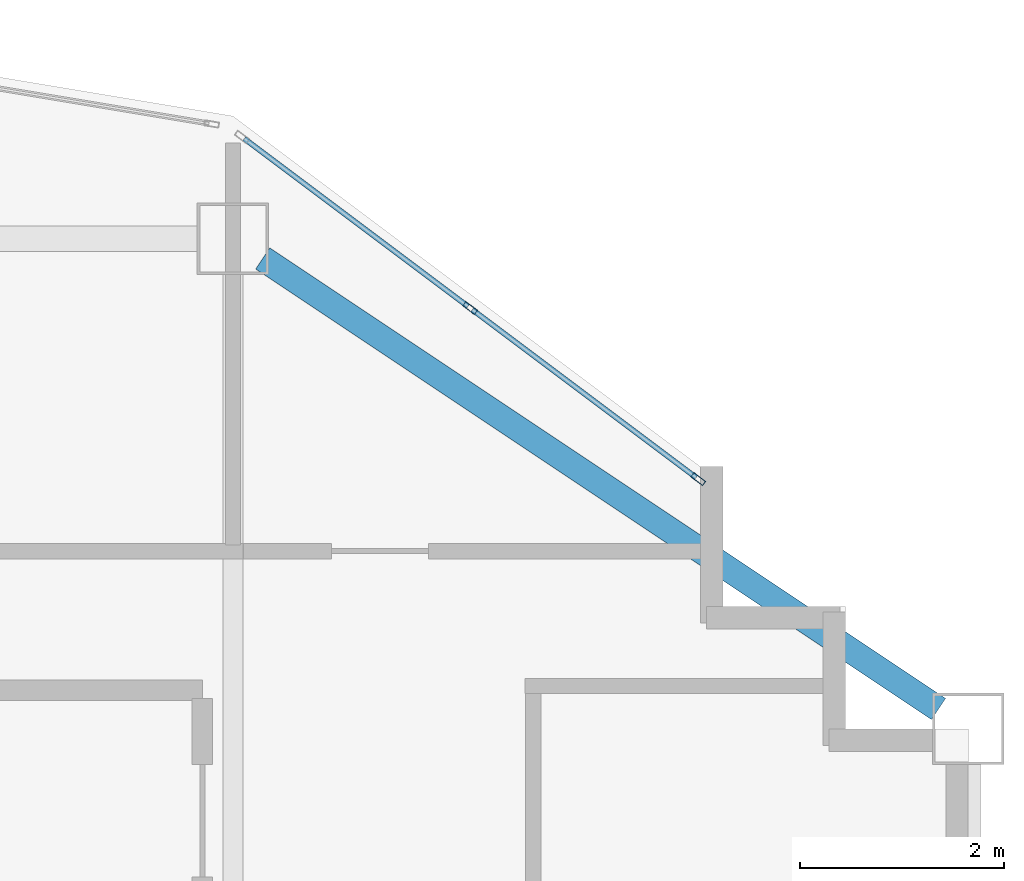
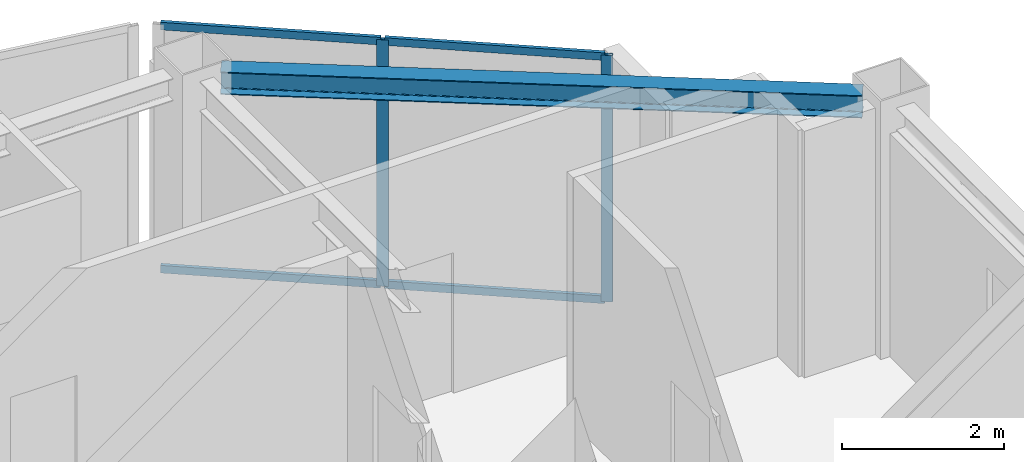
# One storey, part 2 of 8: 6 members, 1 beam, 1 element without a shape of its own.
"""IFC4 building model written with IfcOpenShell, lengths in metres."""

from ifc_helpers import new_model, si_unit, direction, frame, origin, origin_2d, place, context, subcontext, project, spatial, hollow_rectangle, i_section, extrude, material, layer, layer_set, material_profile, profile_set, type_object, element, aggregate, save


model = new_model("IFC4")

# Units and contexts
model_context = context("Model", 3, precision=1e-05, world=origin(), true_north=direction((0.0, 1.0)))
body_context = subcontext(model_context, "Body", "Model", "MODEL_VIEW")
ifc_project = project(units=[si_unit("LENGTHUNIT", "METRE"), si_unit("AREAUNIT", "SQUARE_METRE"), si_unit("VOLUMEUNIT", "CUBIC_METRE"), si_unit("PLANEANGLEUNIT", "RADIAN"), si_unit("MASSUNIT", "GRAM", prefix="KILO")], contexts=[model_context])

# Site, building, storey
site_placement = place(None, origin())
site = spatial("IfcSite", under=ifc_project, at=site_placement, CompositionType="ELEMENT")
building_placement = place(site_placement, origin())
building = spatial("IfcBuilding", under=site, at=building_placement, Name="Haolan Belvedere Tower", CompositionType="ELEMENT")
storey_placement = place(building_placement, frame((0.0, 0.0, 293.89990234375)))
storey = spatial("IfcBuildingStorey", under=building, at=storey_placement, Name="L74", CompositionType="ELEMENT", Elevation=293.89990234375)

# Beam
ifc_material_1 = material(Name="Steel Q355B", Category="steel")
ifc_material_profile_1 = material_profile(ifc_material_1, i_section(OverallWidth=0.25, OverallDepth=0.340087890625, WebThickness=0.009033203125, FlangeThickness=0.013916015625, FilletRadius=0.02001953125, at=origin_2d()), Name="Steel Q355B")
ifc_profile_set_1 = profile_set([ifc_material_profile_1], Name="Steel Q355B")
beam_type = type_object("IfcBeamType", Name="BM-HM340x250x9x14", PredefinedType="SPANDREL", material=ifc_profile_set_1)
beam_placement = place(storey_placement, frame((45.89111328125, 50.205810546875, 3.550048828125), z_axis=(0.832059739299, -0.554686028522, 0.0), x_axis=(0.554686028522, 0.832059739299, 0.0)))
element("IfcBeam", 1, at=beam_placement, inside=storey, type_object=beam_type, Name="L74 spandrel girder MC-T3-N2-MC-T3-NE", PredefinedType="SPANDREL", context=body_context, shape_type="SweptSolid", body=[
    extrude(i_section(OverallWidth=0.25, OverallDepth=0.340087890625, WebThickness=0.009033203125, FlangeThickness=0.013916015625, FilletRadius=0.02001953125, at=origin_2d()), origin(), (0.0, 0.0, 1.0), 7.953369140625),
])

# Curtain wall, members
ifc_material_2 = material(Name="Anodised champagne-silver aluminium 6063-T6 and Low-E glass", Category="aluminium")
ifc_layer = layer(ifc_material_2, 0.14501953125, Name="Anodised champagne-silver aluminium 6063-T6 and Low-E glass")
ifc_layer_set = layer_set([ifc_layer], Name="Anodised champagne-silver aluminium 6063-T6 and Low-E glass")
curtain_wall_type = type_object("IfcCurtainWallType", Name="CW-SYS-05", PredefinedType="NOTDEFINED", material=ifc_layer_set)
curtain_wall_placement = place(storey_placement, origin())
curtain_wall = element("IfcCurtainWall", 2, at=curtain_wall_placement, inside=storey, type_object=curtain_wall_type, Name="L74 CW-SYS-05 ribbon curtain wall 8.1", PredefinedType="NOTDEFINED")
ifc_material_3 = material(Name="Anodised aluminium 6063-T6", Category="aluminium")
ifc_material_profile_2 = material_profile(ifc_material_3, hollow_rectangle(XDim=0.053955078125, YDim=0.14501953125, WallThickness=0.00390625, at=origin_2d()), Name="Anodised aluminium 6063-T6")
ifc_profile_set_2 = profile_set([ifc_material_profile_2], Name="Anodised aluminium 6063-T6")
member_type_1 = type_object("IfcMemberType", Name="CW-SYS-05-MUL", PredefinedType="MULLION", material=ifc_profile_set_2)
member_1_placement = place(storey_placement, frame((50.156494140625, 48.045166015625, 0.0), z_axis=(0.0, 0.0, 1.0), x_axis=(-0.600002837806, -0.799997871638, 0.0)))
member_1 = element("IfcMember", 3, at=member_1_placement, type_object=member_type_1, Name="CW-05 mullion 1", PredefinedType="MULLION", context=body_context, shape_type="SweptSolid", body=[
    extrude(hollow_rectangle(XDim=0.053955078125, YDim=0.14501953125, WallThickness=0.00390625, at=origin_2d()), origin(), (0.0, 0.0, 1.0), 3.72021484375),
])
member_2_placement = place(storey_placement, frame((47.9228515625, 49.720458984375, 0.0), z_axis=(0.0, 0.0, 1.0), x_axis=(-0.600002837806, -0.799997871638, 0.0)))
member_2 = element("IfcMember", 4, at=member_2_placement, type_object=member_type_1, Name="CW-05 mullion 2", PredefinedType="MULLION", context=body_context, shape_type="SweptSolid", body=[
    extrude(hollow_rectangle(XDim=0.053955078125, YDim=0.14501953125, WallThickness=0.00390625, at=origin_2d()), origin(), (0.0, 0.0, 1.0), 3.72021484375),
])
ifc_material_profile_3 = material_profile(ifc_material_3, hollow_rectangle(XDim=0.050048828125, YDim=0.114990234375, WallThickness=0.00390625, at=origin_2d()), Name="Anodised aluminium 6063-T6")
ifc_profile_set_3 = profile_set([ifc_material_profile_3], Name="Anodised aluminium 6063-T6")
member_type_2 = type_object("IfcMemberType", Name="CW-SYS-05-TRN", PredefinedType="USERDEFINED", material=ifc_profile_set_3)
member_3_placement = place(storey_placement, frame((50.134765625, 48.061279296875, 0.025146484375), z_axis=(-0.799957200433, 0.60005706185, 0.0), x_axis=(-0.60005706185, -0.799957200433, 0.0)))
member_3 = element("IfcMember", 5, at=member_3_placement, type_object=member_type_2, Name="CW-05 transom 1.1", ObjectType="TRANSOM", PredefinedType="USERDEFINED", context=body_context, shape_type="SweptSolid", body=[
    extrude(hollow_rectangle(XDim=0.050048828125, YDim=0.114990234375, WallThickness=0.00390625, at=origin_2d()), origin(), (0.0, 0.0, 1.0), 2.73828125),
])
member_4_placement = place(storey_placement, frame((50.134765625, 48.061279296875, 3.695068359375), z_axis=(-0.799957200433, 0.60005706185, 0.0), x_axis=(-0.60005706185, -0.799957200433, 0.0)))
member_4 = element("IfcMember", 6, at=member_4_placement, type_object=member_type_2, Name="CW-05 transom 1.2", ObjectType="TRANSOM", PredefinedType="USERDEFINED", context=body_context, shape_type="SweptSolid", body=[
    extrude(hollow_rectangle(XDim=0.050048828125, YDim=0.114990234375, WallThickness=0.00390625, at=origin_2d()), origin(), (0.0, 0.0, 1.0), 2.73828125),
])
member_5_placement = place(storey_placement, frame((47.901123046875, 49.736572265625, 0.025146484375), z_axis=(-0.8, 0.6, 0.0), x_axis=(-0.6, -0.8, 0.0)))
member_5 = element("IfcMember", 7, at=member_5_placement, type_object=member_type_2, Name="CW-05 transom 2.1", ObjectType="TRANSOM", PredefinedType="USERDEFINED", context=body_context, shape_type="SweptSolid", body=[
    extrude(hollow_rectangle(XDim=0.050048828125, YDim=0.114990234375, WallThickness=0.00390625, at=origin_2d()), origin(), (0.0, 0.0, 1.0), 2.738037109375),
])
member_6_placement = place(storey_placement, frame((47.901123046875, 49.736572265625, 3.695068359375), z_axis=(-0.8, 0.6, 0.0), x_axis=(-0.6, -0.8, 0.0)))
member_6 = element("IfcMember", 8, at=member_6_placement, type_object=member_type_2, Name="CW-05 transom 2.2", ObjectType="TRANSOM", PredefinedType="USERDEFINED", context=body_context, shape_type="SweptSolid", body=[
    extrude(hollow_rectangle(XDim=0.050048828125, YDim=0.114990234375, WallThickness=0.00390625, at=origin_2d()), origin(), (0.0, 0.0, 1.0), 2.738037109375),
])
aggregate(curtain_wall, [member_1, member_2, member_3, member_4, member_5, member_6])

save(model, "model.ifc")
